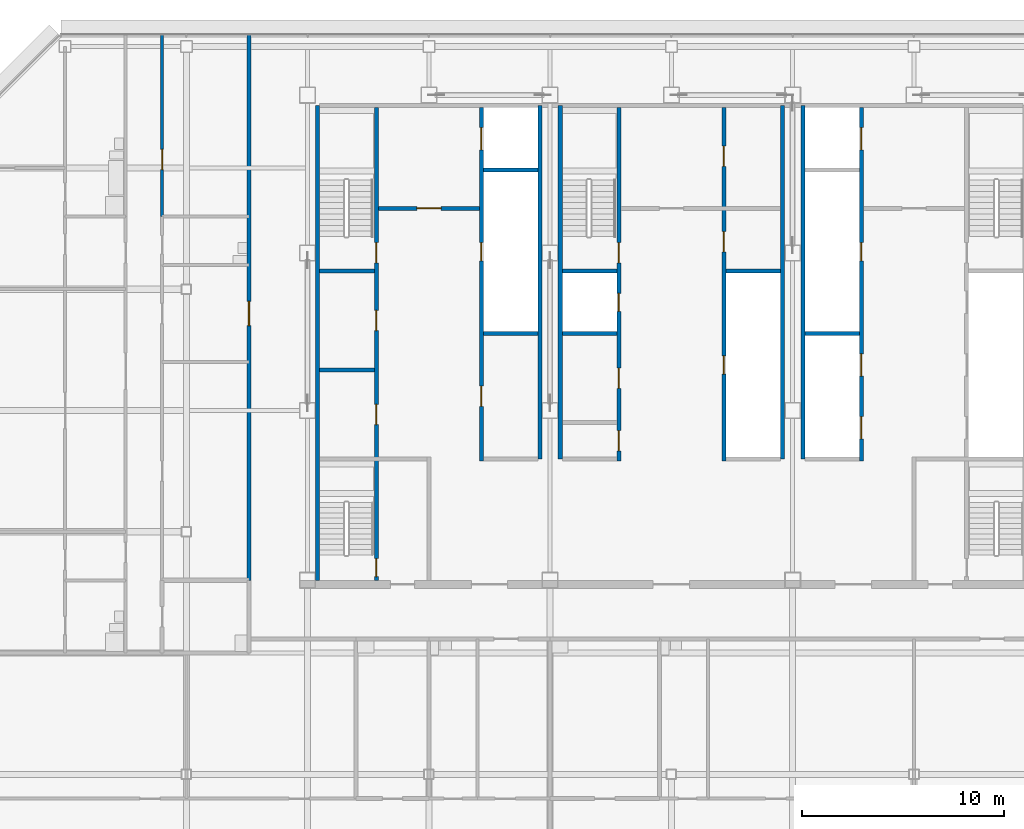
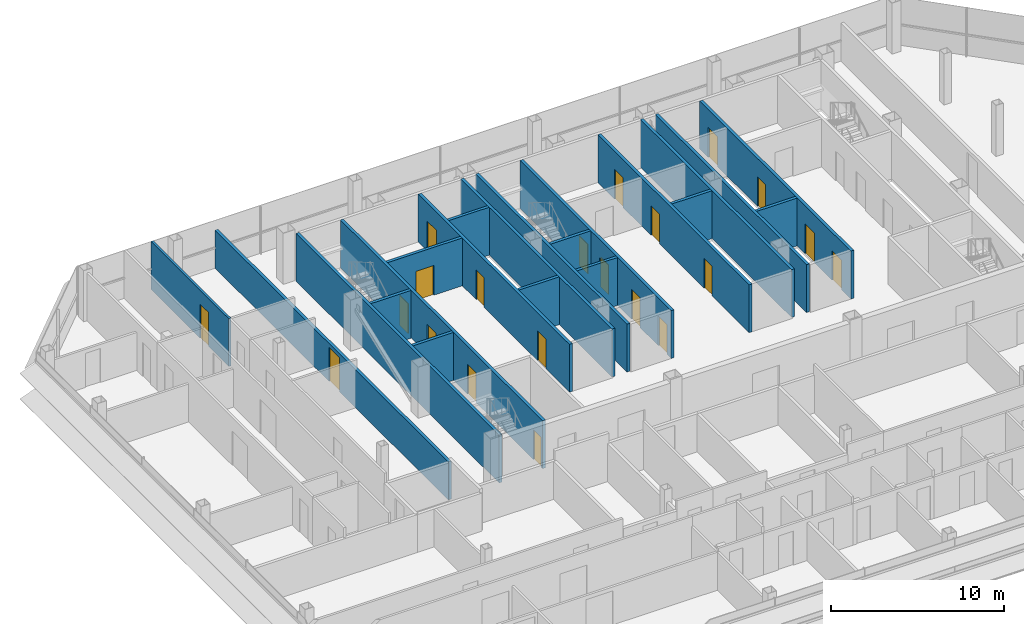
# One storey, part 24 of 28: 21 doors, 21 walls, 21 openings.
"""IFC4 building model written with IfcOpenShell, lengths in metres."""

from ifc_helpers import new_model, si_unit, direction, frame, frame_2d, origin, place, context, subcontext, project, spatial, rectangle, extrude, material, layer, layer_set, type_object, element, fill, save


model = new_model("IFC4")

# Units and contexts
model_context = context("Model", 3, precision=1e-05, world=origin(), true_north=direction((0.0, 1.0)))
body_context = subcontext(model_context, "Body", "Model", "MODEL_VIEW")
ifc_project = project(units=[si_unit("LENGTHUNIT", "METRE"), si_unit("AREAUNIT", "SQUARE_METRE"), si_unit("VOLUMEUNIT", "CUBIC_METRE"), si_unit("PLANEANGLEUNIT", "RADIAN"), si_unit("MASSUNIT", "GRAM", prefix="KILO")], contexts=[model_context])

# Site, building, storey
site_placement = place(None, origin())
site = spatial("IfcSite", under=ifc_project, at=site_placement, CompositionType="ELEMENT")
building_placement = place(site_placement, origin())
building = spatial("IfcBuilding", under=site, at=building_placement, Name="Sorahane Residences", CompositionType="ELEMENT")
storey_placement = place(building_placement, frame((0.0, 0.0, 254.0)))
storey = spatial("IfcBuildingStorey", under=building, at=storey_placement, Name="L60", CompositionType="ELEMENT", Elevation=254.0)

# Walls
ifc_material_1 = material(Name="Concrete C30", Category="concrete")
ifc_layer_1 = layer(ifc_material_1, 0.199951171875)
ifc_layer_set_1 = layer_set([ifc_layer_1], Name="Core face wall 200 EI 180")
wall_type_1 = type_object("IfcWallType", Name="Core face wall 200 EI 180", PredefinedType="SOLIDWALL", material=ifc_layer_set_1)
wall_1_placement = place(storey_placement, frame((6.5, 21.60009765625, 0.0), z_axis=(0.0, 0.0, 1.0), x_axis=(0.0, 1.0, 0.0)))
element("IfcWall", 1, at=wall_1_placement, inside=storey, type_object=wall_type_1, Name="L60 core face wall", PredefinedType="SOLIDWALL", context=body_context, shape_type="SweptSolid", body=[
    extrude(rectangle(XDim=23.5, YDim=0.199951171875, at=frame_2d((11.75, 0.0))), origin(), (0.0, 0.0, 1.0), 3.3798828125),
])
for number, where, z_axis, x_axis, name in (
    (2, (17.5, 27.60009765625, 0.0), (0.0, 0.0, 1.0), (0.0, 1.0, 0.0), "L60 core face wall"),
    (3, (18.5, 27.60009765625, 0.0), (0.0, 0.0, 1.0), (0.0, 1.0, 0.0), "L60 core face wall"),
    (4, (29.5, 27.60009765625, 0.0), (0.0, 0.0, 1.0), (0.0, 1.0, 0.0), "L60 core face wall"),
    (5, (30.5, 27.60009765625, 0.0), (0.0, 0.0, 1.0), (0.0, 1.0, 0.0), "L60 core face wall"),
):
    element("IfcWall", number, at=place(storey_placement, frame(where, z_axis=z_axis, x_axis=x_axis)), inside=storey, type_object=wall_type_1, Name=name, PredefinedType="SOLIDWALL", context=body_context, shape_type="SweptSolid", body=[
        extrude(rectangle(XDim=17.5, YDim=0.199951171875, at=frame_2d((8.75, 0.0))), origin(), (0.0, 0.0, 1.0), 3.3798828125),
    ])

# Wall, opening, door
ifc_material_2 = material(Name="Concrete blockwork C20 wall", Category="masonry")
ifc_layer_2 = layer(ifc_material_2, 0.199951171875)
ifc_layer_set_2 = layer_set([ifc_layer_2], Name="Corridor wall 200 EI 120")
wall_type_2 = type_object("IfcWallType", Name="Corridor wall 200 EI 120", PredefinedType="SOLIDWALL", material=ifc_layer_set_2)
wall_2_placement = place(storey_placement, frame((3.10009765625, 21.60009765625, 0.0), z_axis=(0.0, 0.0, 1.0), x_axis=(0.0, 1.0, 0.0)))
wall_2 = element("IfcWall", 6, at=wall_2_placement, inside=storey, type_object=wall_type_2, Name="L60 corridor wall", PredefinedType="SOLIDWALL", context=body_context, shape_type="SweptSolid", body=[
    extrude(rectangle(XDim=27.0, YDim=0.199951171875, at=frame_2d((13.5, 0.0))), origin(), (0.0, 0.0, 1.0), 2.679931640625),
])
opening_1_placement = place(wall_2_placement, frame((12.60009765625, 0.0, 0.0)))
opening_1 = element("IfcOpeningElement", 7, at=opening_1_placement, cuts=wall_2, Name="Opening L60-48", PredefinedType="OPENING", context=body_context, shape_type="SweptSolid", body=[
    extrude(rectangle(XDim=1.199951171875, YDim=2.39990234375, at=frame_2d((0.60009765625, 1.199951171875))), frame((0.0, 0.10986328125, 0.0), z_axis=(0.0, -1.0, 0.0), x_axis=(1.0, 0.0, 0.0)), (0.0, 0.0, 1.0), 0.219970703125),
])
ifc_material_3 = material(Name="Timber veneered fire door", Category="wood")
door_type_1 = type_object("IfcDoorType", Name="Flat entrance door 1200x2400 FD60", OperationType="NOTDEFINED", PredefinedType="DOOR", material=ifc_material_3)
door_1_placement = place(opening_1_placement, origin())
door_1 = element("IfcDoor", 8, at=door_1_placement, inside=storey, type_object=door_type_1, Name="Flat entrance door L60-48", OperationType="SINGLE_SWING_RIGHT", OverallHeight=2.39990234375, OverallWidth=1.199951171875, PredefinedType="DOOR", context=body_context, shape_type="SweptSolid", body=[
    extrude(rectangle(XDim=1.199951171875, YDim=2.39990234375, at=frame_2d((0.60009765625, 1.199951171875))), frame((0.0, 0.02490234375, 0.0), z_axis=(0.0, -1.0, 0.0), x_axis=(1.0, 0.0, 0.0)), (0.0, 0.0, 1.0), 0.050048828125),
])
fill(opening_1, door_1)

ifc_material_4 = material(Name="Concrete C30", Category="concrete")
ifc_layer_3 = layer(ifc_material_4, 0.199951171875)
ifc_layer_set_3 = layer_set([ifc_layer_3], Name="Front room wall 200 EI 120")
wall_type_3 = type_object("IfcWallType", Name="Front room wall 200 EI 120", PredefinedType="PARTITIONING", material=ifc_layer_set_3)
wall_3_placement = place(storey_placement, frame((9.5, 40.0, 0.0), z_axis=(0.0, 0.0, 1.0), x_axis=(1.0, 0.0, 0.0)))
wall_3 = element("IfcWall", 9, at=wall_3_placement, inside=storey, type_object=wall_type_3, Name="L60 front room wall", PredefinedType="PARTITIONING", context=body_context, shape_type="SweptSolid", body=[
    extrude(rectangle(XDim=5.0, YDim=0.199951171875, at=frame_2d((2.5, 0.0))), origin(), (0.0, 0.0, 1.0), 3.3798828125),
])
opening_2_placement = place(wall_3_placement, frame((1.89990234375, 0.0, 0.0)))
opening_2 = element("IfcOpeningElement", 10, at=opening_2_placement, cuts=wall_3, Name="Opening L60-C06", PredefinedType="OPENING", context=body_context, shape_type="SweptSolid", body=[
    extrude(rectangle(XDim=1.199951171875, YDim=2.10009765625, at=frame_2d((0.60009765625, 1.050048828125))), frame((0.0, 0.10986328125, 0.0), z_axis=(0.0, -1.0, 0.0), x_axis=(1.0, 0.0, 0.0)), (0.0, 0.0, 1.0), 0.219970703125),
])
ifc_material_5 = material(Name="Steel", Category="steel")
door_type_2 = type_object("IfcDoorType", Name="Front room door 1200x2100 FD120", OperationType="NOTDEFINED", PredefinedType="DOOR", material=ifc_material_5)
door_2_placement = place(opening_2_placement, frame((1.199951171875, 0.0, 0.0), z_axis=(0.0, 0.0, 1.0), x_axis=(-1.0, 0.0, 0.0)))
door_2 = element("IfcDoor", 11, at=door_2_placement, inside=storey, type_object=door_type_2, Name="Front room door Firefighting lobby FF1 front room L60", OperationType="DOUBLE_DOOR_SINGLE_SWING", OverallHeight=2.10009765625, OverallWidth=1.199951171875, PredefinedType="DOOR", context=body_context, shape_type="SweptSolid", body=[
    extrude(rectangle(XDim=1.199951171875, YDim=2.10009765625, at=frame_2d((0.60009765625, 1.050048828125))), frame((0.0, 0.02490234375, 0.0), z_axis=(0.0, -1.0, 0.0), x_axis=(1.0, 0.0, 0.0)), (0.0, 0.0, 1.0), 0.050048828125),
])
fill(opening_2, door_2)

# Wall, openings, doors
ifc_material_6 = material(Name="Concrete C30", Category="concrete")
ifc_layer_4 = layer(ifc_material_6, 0.199951171875)
ifc_layer_set_4 = layer_set([ifc_layer_4], Name="Lift shaft wall 200 EI 120")
wall_type_4 = type_object("IfcWallType", Name="Lift shaft wall 200 EI 120", PredefinedType="SOLIDWALL", material=ifc_layer_set_4)
wall_4_placement = place(storey_placement, frame((14.60009765625, 27.5, 0.0), z_axis=(0.0, 0.0, 1.0), x_axis=(0.0, 1.0, 0.0)))
wall_4 = element("IfcWall", 12, at=wall_4_placement, inside=storey, type_object=wall_type_4, Name="L60 lift shaft wall", PredefinedType="SOLIDWALL", context=body_context, shape_type="SweptSolid", body=[
    extrude(rectangle(XDim=17.5, YDim=0.199951171875, at=frame_2d((8.75, 0.0))), origin(), (0.0, 0.0, 1.0), 3.3798828125),
])
opening_3_placement = place(wall_4_placement, frame((15.39990234375, 0.0, 0.0)))
opening_3 = element("IfcOpeningElement", 13, at=opening_3_placement, cuts=wall_4, Name="Opening L60-C15", PredefinedType="OPENING", context=body_context, shape_type="SweptSolid", body=[
    extrude(rectangle(XDim=1.10009765625, YDim=2.10009765625, at=frame_2d((0.550048828125, 1.050048828125))), frame((0.0, 0.10986328125, 0.0), z_axis=(0.0, -1.0, 0.0), x_axis=(1.0, 0.0, 0.0)), (0.0, 0.0, 1.0), 0.219970703125),
])
opening_4_placement = place(wall_4_placement, frame((2.699951171875, 0.0, 0.0)))
opening_4 = element("IfcOpeningElement", 14, at=opening_4_placement, cuts=wall_4, Name="Opening L60-C18", PredefinedType="OPENING", context=body_context, shape_type="SweptSolid", body=[
    extrude(rectangle(XDim=1.0, YDim=2.10009765625, at=frame_2d((0.5, 1.050048828125))), frame((0.0, 0.10986328125, 0.0), z_axis=(0.0, -1.0, 0.0), x_axis=(1.0, 0.0, 0.0)), (0.0, 0.0, 1.0), 0.219970703125),
])
opening_5_placement = place(wall_4_placement, frame((9.89990234375, 0.0, 0.0)))
opening_5 = element("IfcOpeningElement", 15, at=opening_5_placement, cuts=wall_4, Name="Opening L60-C26", PredefinedType="OPENING", context=body_context, shape_type="SweptSolid", body=[
    extrude(rectangle(XDim=0.89990234375, YDim=2.10009765625, at=frame_2d((0.449951171875, 1.050048828125))), frame((0.0, 0.10986328125, 0.0), z_axis=(0.0, -1.0, 0.0), x_axis=(1.0, 0.0, 0.0)), (0.0, 0.0, 1.0), 0.219970703125),
])
ifc_material_7 = material(Name="Aluminium and stainless steel", Category="steel")
door_type_3 = type_object("IfcDoorType", Name="Lift landing door 1100x2100 E 60", OperationType="NOTDEFINED", PredefinedType="DOOR", material=ifc_material_7)
door_3_placement = place(opening_3_placement, origin())
door_3 = element("IfcDoor", 16, at=door_3_placement, inside=storey, type_object=door_type_3, Name="Lift landing door FF1 L60", OperationType="DOUBLE_DOOR_SLIDING", OverallHeight=2.10009765625, OverallWidth=1.10009765625, PredefinedType="DOOR", context=body_context, shape_type="SweptSolid", body=[
    extrude(rectangle(XDim=1.10009765625, YDim=2.10009765625, at=frame_2d((0.550048828125, 1.050048828125))), frame((0.0, 0.02490234375, 0.0), z_axis=(0.0, -1.0, 0.0), x_axis=(1.0, 0.0, 0.0)), (0.0, 0.0, 1.0), 0.050048828125),
])
fill(opening_3, door_3)
ifc_material_8 = material(Name="Steel", Category="steel")
door_type_4 = type_object("IfcDoorType", Name="Riser door 900x2100 FD120", OperationType="NOTDEFINED", PredefinedType="DOOR", material=ifc_material_8)
door_4_placement = place(opening_5_placement, origin())
door_4 = element("IfcDoor", 17, at=door_4_placement, inside=storey, type_object=door_type_4, Name="Riser door R1 L60", OperationType="SINGLE_SWING_LEFT", OverallHeight=2.10009765625, OverallWidth=0.89990234375, PredefinedType="DOOR", context=body_context, shape_type="SweptSolid", body=[
    extrude(rectangle(XDim=0.89990234375, YDim=2.10009765625, at=frame_2d((0.449951171875, 1.050048828125))), frame((0.0, 0.02490234375, 0.0), z_axis=(0.0, -1.0, 0.0), x_axis=(1.0, 0.0, 0.0)), (0.0, 0.0, 1.0), 0.050048828125),
])
fill(opening_5, door_4)
ifc_material_9 = material(Name="Steel", Category="steel")
door_type_5 = type_object("IfcDoorType", Name="Service room door 1000x2100 FD60", OperationType="NOTDEFINED", PredefinedType="DOOR", material=ifc_material_9)
door_5_placement = place(opening_4_placement, frame((1.0, 0.0, 0.0), z_axis=(0.0, 0.0, 1.0), x_axis=(-1.0, 0.0, 0.0)))
door_5 = element("IfcDoor", 18, at=door_5_placement, inside=storey, type_object=door_type_5, Name="Service room door Gift store L60", OperationType="SINGLE_SWING_RIGHT", OverallHeight=2.10009765625, OverallWidth=1.0, PredefinedType="DOOR", context=body_context, shape_type="SweptSolid", body=[
    extrude(rectangle(XDim=1.0, YDim=2.10009765625, at=frame_2d((0.5, 1.050048828125))), frame((0.0, 0.02490234375, 0.0), z_axis=(0.0, -1.0, 0.0), x_axis=(1.0, 0.0, 0.0)), (0.0, 0.0, 1.0), 0.050048828125),
])
fill(opening_4, door_5)

wall_5_placement = place(storey_placement, frame((33.39990234375, 27.5, 0.0), z_axis=(0.0, 0.0, 1.0), x_axis=(0.0, 1.0, 0.0)))
wall_5 = element("IfcWall", 19, at=wall_5_placement, inside=storey, type_object=wall_type_4, Name="L60 lift shaft wall", PredefinedType="SOLIDWALL", context=body_context, shape_type="SweptSolid", body=[
    extrude(rectangle(XDim=17.5, YDim=0.199951171875, at=frame_2d((8.75, 0.0))), origin(), (0.0, 0.0, 1.0), 3.3798828125),
])
opening_6_placement = place(wall_5_placement, frame((1.10009765625, 0.0, 0.0)))
opening_6 = element("IfcOpeningElement", 20, at=opening_6_placement, cuts=wall_5, Name="Opening L60-C12", PredefinedType="OPENING", context=body_context, shape_type="SweptSolid", body=[
    extrude(rectangle(XDim=1.10009765625, YDim=2.10009765625, at=frame_2d((0.550048828125, 1.050048828125))), frame((0.0, 0.10986328125, 0.0), z_axis=(0.0, -1.0, 0.0), x_axis=(1.0, 0.0, 0.0)), (0.0, 0.0, 1.0), 0.219970703125),
])
opening_7_placement = place(wall_5_placement, frame((4.199951171875, 0.0, 0.0)))
opening_7 = element("IfcOpeningElement", 21, at=opening_7_placement, cuts=wall_5, Name="Opening L60-C13", PredefinedType="OPENING", context=body_context, shape_type="SweptSolid", body=[
    extrude(rectangle(XDim=1.10009765625, YDim=2.10009765625, at=frame_2d((0.550048828125, 1.050048828125))), frame((0.0, 0.10986328125, 0.0), z_axis=(0.0, -1.0, 0.0), x_axis=(1.0, 0.0, 0.0)), (0.0, 0.0, 1.0), 0.219970703125),
])
opening_8_placement = place(wall_5_placement, frame((15.39990234375, 0.0, 0.0)))
opening_8 = element("IfcOpeningElement", 22, at=opening_8_placement, cuts=wall_5, Name="Opening L60-C14", PredefinedType="OPENING", context=body_context, shape_type="SweptSolid", body=[
    extrude(rectangle(XDim=1.10009765625, YDim=2.10009765625, at=frame_2d((0.550048828125, 1.050048828125))), frame((0.0, 0.10986328125, 0.0), z_axis=(0.0, -1.0, 0.0), x_axis=(1.0, 0.0, 0.0)), (0.0, 0.0, 1.0), 0.219970703125),
])
opening_9_placement = place(wall_5_placement, frame((9.89990234375, 0.0, 0.0)))
opening_9 = element("IfcOpeningElement", 23, at=opening_9_placement, cuts=wall_5, Name="Opening L60-C27", PredefinedType="OPENING", context=body_context, shape_type="SweptSolid", body=[
    extrude(rectangle(XDim=0.89990234375, YDim=2.10009765625, at=frame_2d((0.449951171875, 1.050048828125))), frame((0.0, 0.10986328125, 0.0), z_axis=(0.0, -1.0, 0.0), x_axis=(1.0, 0.0, 0.0)), (0.0, 0.0, 1.0), 0.219970703125),
])
door_6_placement = place(opening_6_placement, origin())
door_6 = element("IfcDoor", 24, at=door_6_placement, inside=storey, type_object=door_type_3, Name="Lift landing door HR4 L60", OperationType="DOUBLE_DOOR_SLIDING", OverallHeight=2.10009765625, OverallWidth=1.10009765625, PredefinedType="DOOR", context=body_context, shape_type="SweptSolid", body=[
    extrude(rectangle(XDim=1.10009765625, YDim=2.10009765625, at=frame_2d((0.550048828125, 1.050048828125))), frame((0.0, 0.02490234375, 0.0), z_axis=(0.0, -1.0, 0.0), x_axis=(1.0, 0.0, 0.0)), (0.0, 0.0, 1.0), 0.050048828125),
])
fill(opening_6, door_6)
door_7_placement = place(opening_7_placement, origin())
door_7 = element("IfcDoor", 25, at=door_7_placement, inside=storey, type_object=door_type_3, Name="Lift landing door HR5 L60", OperationType="DOUBLE_DOOR_SLIDING", OverallHeight=2.10009765625, OverallWidth=1.10009765625, PredefinedType="DOOR", context=body_context, shape_type="SweptSolid", body=[
    extrude(rectangle(XDim=1.10009765625, YDim=2.10009765625, at=frame_2d((0.550048828125, 1.050048828125))), frame((0.0, 0.02490234375, 0.0), z_axis=(0.0, -1.0, 0.0), x_axis=(1.0, 0.0, 0.0)), (0.0, 0.0, 1.0), 0.050048828125),
])
fill(opening_7, door_7)
door_8_placement = place(opening_8_placement, origin())
door_8 = element("IfcDoor", 26, at=door_8_placement, inside=storey, type_object=door_type_3, Name="Lift landing door FF2 L60", OperationType="DOUBLE_DOOR_SLIDING", OverallHeight=2.10009765625, OverallWidth=1.10009765625, PredefinedType="DOOR", context=body_context, shape_type="SweptSolid", body=[
    extrude(rectangle(XDim=1.10009765625, YDim=2.10009765625, at=frame_2d((0.550048828125, 1.050048828125))), frame((0.0, 0.02490234375, 0.0), z_axis=(0.0, -1.0, 0.0), x_axis=(1.0, 0.0, 0.0)), (0.0, 0.0, 1.0), 0.050048828125),
])
fill(opening_8, door_8)
door_9_placement = place(opening_9_placement, frame((0.89990234375, 0.0, 0.0), z_axis=(0.0, 0.0, 1.0), x_axis=(-1.0, 0.0, 0.0)))
door_9 = element("IfcDoor", 27, at=door_9_placement, inside=storey, type_object=door_type_4, Name="Riser door R2 L60", OperationType="SINGLE_SWING_LEFT", OverallHeight=2.10009765625, OverallWidth=0.89990234375, PredefinedType="DOOR", context=body_context, shape_type="SweptSolid", body=[
    extrude(rectangle(XDim=0.89990234375, YDim=2.10009765625, at=frame_2d((0.449951171875, 1.050048828125))), frame((0.0, 0.02490234375, 0.0), z_axis=(0.0, -1.0, 0.0), x_axis=(1.0, 0.0, 0.0)), (0.0, 0.0, 1.0), 0.050048828125),
])
fill(opening_9, door_9)

# Walls
for number, where, z_axis, x_axis, name in (
    (28, (30.60009765625, 33.800048828125, 0.0), (0.0, 0.0, 1.0), (1.0, 0.0, 0.0), "L60 lift shaft wall"),
    (29, (14.699951171875, 41.89990234375, 0.0), (0.0, 0.0, 1.0), (1.0, 0.0, 0.0), "L60 lift shaft wall"),
):
    element("IfcWall", number, at=place(storey_placement, frame(where, z_axis=z_axis, x_axis=x_axis)), inside=storey, type_object=wall_type_4, Name=name, PredefinedType="SOLIDWALL", context=body_context, shape_type="SweptSolid", body=[
        extrude(rectangle(XDim=2.699951171875, YDim=0.199951171875, at=frame_2d((1.35009765625, 0.0))), origin(), (0.0, 0.0, 1.0), 3.3798828125),
    ])

# Wall, opening, door
ifc_material_10 = material(Name="Gypsum board partition on steel studs", Category="steel")
ifc_layer_5 = layer(ifc_material_10, 0.14990234375)
ifc_layer_set_5 = layer_set([ifc_layer_5], Name="Partition 150 EI 90")
wall_type_5 = type_object("IfcWallType", Name="Partition 150 EI 90", PredefinedType="PARTITIONING", material=ifc_layer_set_5)
wall_6_placement = place(storey_placement, frame((-1.199951171875, 39.60009765625, 0.0), z_axis=(0.0, 0.0, 1.0), x_axis=(0.0, 1.0, 0.0)))
wall_6 = element("IfcWall", 30, at=wall_6_placement, inside=storey, type_object=wall_type_5, Name="L60 partition", PredefinedType="PARTITIONING", context=body_context, shape_type="SweptSolid", body=[
    extrude(rectangle(XDim=9.0, YDim=0.14990234375, at=frame_2d((4.5, 0.0))), origin(), (0.0, 0.0, 1.0), 3.3798828125),
])
opening_10_placement = place(wall_6_placement, frame((2.320068359375, 0.0, 0.0)))
opening_10 = element("IfcOpeningElement", 31, at=opening_10_placement, cuts=wall_6, Name="Opening L60-36", PredefinedType="OPENING", context=body_context, shape_type="SweptSolid", body=[
    extrude(rectangle(XDim=1.0, YDim=2.39990234375, at=frame_2d((0.5, 1.199951171875))), frame((0.0, 0.0849609375, 0.0), z_axis=(0.0, -1.0, 0.0), x_axis=(1.0, 0.0, 0.0)), (0.0, 0.0, 1.0), 0.169921875),
])
ifc_material_11 = material(Name="Timber veneered fire door", Category="wood")
door_type_6 = type_object("IfcDoorType", Name="Room door 1000x2400 FD30", OperationType="NOTDEFINED", PredefinedType="DOOR", material=ifc_material_11)
door_10_placement = place(opening_10_placement, frame((1.0, 0.0, 0.0), z_axis=(0.0, 0.0, 1.0), x_axis=(-1.0, 0.0, 0.0)))
door_10 = element("IfcDoor", 32, at=door_10_placement, inside=storey, type_object=door_type_6, Name="Room door L60-36", OperationType="SINGLE_SWING_RIGHT", OverallHeight=2.39990234375, OverallWidth=1.0, PredefinedType="DOOR", context=body_context, shape_type="SweptSolid", body=[
    extrude(rectangle(XDim=1.0, YDim=2.39990234375, at=frame_2d((0.5, 1.199951171875))), frame((0.0, 0.02490234375, 0.0), z_axis=(0.0, -1.0, 0.0), x_axis=(1.0, 0.0, 0.0)), (0.0, 0.0, 1.0), 0.050048828125),
])
fill(opening_10, door_10)

# Wall, openings, doors
ifc_material_12 = material(Name="Concrete C30", Category="concrete")
ifc_layer_6 = layer(ifc_material_12, 0.199951171875)
ifc_layer_set_6 = layer_set([ifc_layer_6], Name="Riser shaft wall 200 EI 120")
wall_type_6 = type_object("IfcWallType", Name="Riser shaft wall 200 EI 120", PredefinedType="SOLIDWALL", material=ifc_layer_set_6)
wall_7_placement = place(storey_placement, frame((26.60009765625, 27.5, 0.0), z_axis=(0.0, 0.0, 1.0), x_axis=(0.0, 1.0, 0.0)))
wall_7 = element("IfcWall", 33, at=wall_7_placement, inside=storey, type_object=wall_type_6, Name="L60 riser wall", PredefinedType="SOLIDWALL", context=body_context, shape_type="SweptSolid", body=[
    extrude(rectangle(XDim=17.5, YDim=0.199951171875, at=frame_2d((8.75, 0.0))), origin(), (0.0, 0.0, 1.0), 3.3798828125),
])
opening_11_placement = place(wall_7_placement, frame((4.300048828125, 0.0, 0.0)))
opening_11 = element("IfcOpeningElement", 34, at=opening_11_placement, cuts=wall_7, Name="Opening L60-C29", PredefinedType="OPENING", context=body_context, shape_type="SweptSolid", body=[
    extrude(rectangle(XDim=0.89990234375, YDim=2.10009765625, at=frame_2d((0.449951171875, 1.050048828125))), frame((0.0, 0.10986328125, 0.0), z_axis=(0.0, -1.0, 0.0), x_axis=(1.0, 0.0, 0.0)), (0.0, 0.0, 1.0), 0.219970703125),
])
opening_12_placement = place(wall_7_placement, frame((10.35009765625, 0.0, 0.0)))
opening_12 = element("IfcOpeningElement", 35, at=opening_12_placement, cuts=wall_7, Name="Opening L60-C30", PredefinedType="OPENING", context=body_context, shape_type="SweptSolid", body=[
    extrude(rectangle(XDim=1.0, YDim=2.10009765625, at=frame_2d((0.5, 1.050048828125))), frame((0.0, 0.10986328125, 0.0), z_axis=(0.0, -1.0, 0.0), x_axis=(1.0, 0.0, 0.0)), (0.0, 0.0, 1.0), 0.219970703125),
])
opening_13_placement = place(wall_7_placement, frame((14.574951171875, 0.0, 0.0)))
opening_13 = element("IfcOpeningElement", 36, at=opening_13_placement, cuts=wall_7, Name="Opening L60-C31", PredefinedType="OPENING", context=body_context, shape_type="SweptSolid", body=[
    extrude(rectangle(XDim=1.0, YDim=2.10009765625, at=frame_2d((0.5, 1.050048828125))), frame((0.0, 0.10986328125, 0.0), z_axis=(0.0, -1.0, 0.0), x_axis=(1.0, 0.0, 0.0)), (0.0, 0.0, 1.0), 0.219970703125),
])
door_11_placement = place(opening_11_placement, origin())
door_11 = element("IfcDoor", 37, at=door_11_placement, inside=storey, type_object=door_type_4, Name="Riser door R4 L60", OperationType="SINGLE_SWING_LEFT", OverallHeight=2.10009765625, OverallWidth=0.89990234375, PredefinedType="DOOR", context=body_context, shape_type="SweptSolid", body=[
    extrude(rectangle(XDim=0.89990234375, YDim=2.10009765625, at=frame_2d((0.449951171875, 1.050048828125))), frame((0.0, 0.02490234375, 0.0), z_axis=(0.0, -1.0, 0.0), x_axis=(1.0, 0.0, 0.0)), (0.0, 0.0, 1.0), 0.050048828125),
])
fill(opening_11, door_11)
door_12_placement = place(opening_12_placement, frame((1.0, 0.0, 0.0), z_axis=(0.0, 0.0, 1.0), x_axis=(-1.0, 0.0, 0.0)))
door_12 = element("IfcDoor", 38, at=door_12_placement, inside=storey, type_object=door_type_5, Name="Service room door Linen room L60", OperationType="SINGLE_SWING_LEFT", OverallHeight=2.10009765625, OverallWidth=1.0, PredefinedType="DOOR", context=body_context, shape_type="SweptSolid", body=[
    extrude(rectangle(XDim=1.0, YDim=2.10009765625, at=frame_2d((0.5, 1.050048828125))), frame((0.0, 0.02490234375, 0.0), z_axis=(0.0, -1.0, 0.0), x_axis=(1.0, 0.0, 0.0)), (0.0, 0.0, 1.0), 0.050048828125),
])
fill(opening_12, door_12)
door_13_placement = place(opening_13_placement, frame((1.0, 0.0, 0.0), z_axis=(0.0, 0.0, 1.0), x_axis=(-1.0, 0.0, 0.0)))
door_13 = element("IfcDoor", 39, at=door_13_placement, inside=storey, type_object=door_type_5, Name="Service room door Cleaners' store L60", OperationType="SINGLE_SWING_LEFT", OverallHeight=2.10009765625, OverallWidth=1.0, PredefinedType="DOOR", context=body_context, shape_type="SweptSolid", body=[
    extrude(rectangle(XDim=1.0, YDim=2.10009765625, at=frame_2d((0.5, 1.050048828125))), frame((0.0, 0.02490234375, 0.0), z_axis=(0.0, -1.0, 0.0), x_axis=(1.0, 0.0, 0.0)), (0.0, 0.0, 1.0), 0.050048828125),
])
fill(opening_13, door_13)

# Walls
for number, where, z_axis, x_axis, name in (
    (40, (14.699951171875, 33.800048828125, 0.0), (0.0, 0.0, 1.0), (1.0, 0.0, 0.0), "L60 riser wall"),
    (41, (18.60009765625, 33.800048828125, 0.0), (0.0, 0.0, 1.0), (1.0, 0.0, 0.0), "L60 riser wall"),
    (42, (26.699951171875, 36.89990234375, 0.0), (0.0, 0.0, 1.0), (1.0, 0.0, 0.0), "L60 riser wall"),
):
    element("IfcWall", number, at=place(storey_placement, frame(where, z_axis=z_axis, x_axis=x_axis)), inside=storey, type_object=wall_type_6, Name=name, PredefinedType="SOLIDWALL", context=body_context, shape_type="SweptSolid", body=[
        extrude(rectangle(XDim=2.699951171875, YDim=0.199951171875, at=frame_2d((1.35009765625, 0.0))), origin(), (0.0, 0.0, 1.0), 3.3798828125),
    ])
ifc_material_13 = material(Name="Concrete C30", Category="concrete")
ifc_layer_7 = layer(ifc_material_13, 0.199951171875)
ifc_layer_set_7 = layer_set([ifc_layer_7], Name="Service room partition 200 EI 60")
wall_type_7 = type_object("IfcWallType", Name="Service room partition 200 EI 60", PredefinedType="PARTITIONING", material=ifc_layer_set_7)
wall_8_placement = place(storey_placement, frame((6.60009765625, 32.0, 0.0), z_axis=(0.0, 0.0, 1.0), x_axis=(1.0, 0.0, 0.0)))
element("IfcWall", 43, at=wall_8_placement, inside=storey, type_object=wall_type_7, Name="L60 service room wall", PredefinedType="PARTITIONING", context=body_context, shape_type="SweptSolid", body=[
    extrude(rectangle(XDim=2.699951171875, YDim=0.199951171875, at=frame_2d((1.35009765625, 0.0))), origin(), (0.0, 0.0, 1.0), 3.3798828125),
])

# Wall, openings, doors
ifc_material_14 = material(Name="Concrete C30", Category="concrete")
ifc_layer_8 = layer(ifc_material_14, 0.199951171875)
ifc_layer_set_8 = layer_set([ifc_layer_8], Name="Stair enclosure wall 200 EI 120")
wall_type_8 = type_object("IfcWallType", Name="Stair enclosure wall 200 EI 120", PredefinedType="SOLIDWALL", material=ifc_layer_set_8)
wall_9_placement = place(storey_placement, frame((21.39990234375, 27.5, 0.0), z_axis=(0.0, 0.0, 1.0), x_axis=(0.0, 1.0, 0.0)))
wall_9 = element("IfcWall", 44, at=wall_9_placement, inside=storey, type_object=wall_type_8, Name="L60 stair enclosure wall", PredefinedType="SOLIDWALL", context=body_context, shape_type="SweptSolid", body=[
    extrude(rectangle(XDim=17.5, YDim=0.199951171875, at=frame_2d((8.75, 0.0))), origin(), (0.0, 0.0, 1.0), 3.3798828125),
])
opening_14_placement = place(wall_9_placement, frame((0.5, 0.0, 0.0)))
opening_14 = element("IfcOpeningElement", 45, at=opening_14_placement, cuts=wall_9, Name="Opening L60-C16", PredefinedType="OPENING", context=body_context, shape_type="SweptSolid", body=[
    extrude(rectangle(XDim=1.0, YDim=2.10009765625, at=frame_2d((0.5, 1.050048828125))), frame((0.0, 0.10986328125, 0.0), z_axis=(0.0, -1.0, 0.0), x_axis=(1.0, 0.0, 0.0)), (0.0, 0.0, 1.0), 0.219970703125),
])
opening_15_placement = place(wall_9_placement, frame((3.60009765625, 0.0, 0.0)))
opening_15 = element("IfcOpeningElement", 46, at=opening_15_placement, cuts=wall_9, Name="Opening L60-C17", PredefinedType="OPENING", context=body_context, shape_type="SweptSolid", body=[
    extrude(rectangle(XDim=1.0, YDim=2.10009765625, at=frame_2d((0.5, 1.050048828125))), frame((0.0, 0.10986328125, 0.0), z_axis=(0.0, -1.0, 0.0), x_axis=(1.0, 0.0, 0.0)), (0.0, 0.0, 1.0), 0.219970703125),
])
opening_16_placement = place(wall_9_placement, frame((9.800048828125, 0.0, 0.0)))
opening_16 = element("IfcOpeningElement", 47, at=opening_16_placement, cuts=wall_9, Name="Opening L60-C23", PredefinedType="OPENING", context=body_context, shape_type="SweptSolid", body=[
    extrude(rectangle(XDim=1.0, YDim=2.10009765625, at=frame_2d((0.5, 1.050048828125))), frame((0.0, 0.10986328125, 0.0), z_axis=(0.0, -1.0, 0.0), x_axis=(1.0, 0.0, 0.0)), (0.0, 0.0, 1.0), 0.219970703125),
])
opening_17_placement = place(wall_9_placement, frame((7.39990234375, 0.0, 0.0)))
opening_17 = element("IfcOpeningElement", 48, at=opening_17_placement, cuts=wall_9, Name="Opening L60-C28", PredefinedType="OPENING", context=body_context, shape_type="SweptSolid", body=[
    extrude(rectangle(XDim=0.89990234375, YDim=2.10009765625, at=frame_2d((0.449951171875, 1.050048828125))), frame((0.0, 0.10986328125, 0.0), z_axis=(0.0, -1.0, 0.0), x_axis=(1.0, 0.0, 0.0)), (0.0, 0.0, 1.0), 0.219970703125),
])
door_14_placement = place(opening_17_placement, frame((0.89990234375, 0.0, 0.0), z_axis=(0.0, 0.0, 1.0), x_axis=(-1.0, 0.0, 0.0)))
door_14 = element("IfcDoor", 49, at=door_14_placement, inside=storey, type_object=door_type_4, Name="Riser door R3 L60", OperationType="SINGLE_SWING_LEFT", OverallHeight=2.10009765625, OverallWidth=0.89990234375, PredefinedType="DOOR", context=body_context, shape_type="SweptSolid", body=[
    extrude(rectangle(XDim=0.89990234375, YDim=2.10009765625, at=frame_2d((0.449951171875, 1.050048828125))), frame((0.0, 0.02490234375, 0.0), z_axis=(0.0, -1.0, 0.0), x_axis=(1.0, 0.0, 0.0)), (0.0, 0.0, 1.0), 0.050048828125),
])
fill(opening_17, door_14)
door_15_placement = place(opening_14_placement, origin())
door_15 = element("IfcDoor", 50, at=door_15_placement, inside=storey, type_object=door_type_5, Name="Service room door Valet store L60", OperationType="SINGLE_SWING_RIGHT", OverallHeight=2.10009765625, OverallWidth=1.0, PredefinedType="DOOR", context=body_context, shape_type="SweptSolid", body=[
    extrude(rectangle(XDim=1.0, YDim=2.10009765625, at=frame_2d((0.5, 1.050048828125))), frame((0.0, 0.02490234375, 0.0), z_axis=(0.0, -1.0, 0.0), x_axis=(1.0, 0.0, 0.0)), (0.0, 0.0, 1.0), 0.050048828125),
])
fill(opening_14, door_15)
door_16_placement = place(opening_15_placement, origin())
door_16 = element("IfcDoor", 51, at=door_16_placement, inside=storey, type_object=door_type_5, Name="Service room door Cinema room L60", OperationType="SINGLE_SWING_LEFT", OverallHeight=2.10009765625, OverallWidth=1.0, PredefinedType="DOOR", context=body_context, shape_type="SweptSolid", body=[
    extrude(rectangle(XDim=1.0, YDim=2.10009765625, at=frame_2d((0.5, 1.050048828125))), frame((0.0, 0.02490234375, 0.0), z_axis=(0.0, -1.0, 0.0), x_axis=(1.0, 0.0, 0.0)), (0.0, 0.0, 1.0), 0.050048828125),
])
fill(opening_15, door_16)
ifc_material_15 = material(Name="Steel", Category="steel")
door_type_7 = type_object("IfcDoorType", Name="Stair door 1000x2100 FD120", OperationType="NOTDEFINED", PredefinedType="DOOR", material=ifc_material_15)
door_17_placement = place(opening_16_placement, origin())
door_17 = element("IfcDoor", 52, at=door_17_placement, inside=storey, type_object=door_type_7, Name="Stair door S3 L60", OperationType="SINGLE_SWING_LEFT", OverallHeight=2.10009765625, OverallWidth=1.0, PredefinedType="DOOR", context=body_context, shape_type="SweptSolid", body=[
    extrude(rectangle(XDim=1.0, YDim=2.10009765625, at=frame_2d((0.5, 1.050048828125))), frame((0.0, 0.02490234375, 0.0), z_axis=(0.0, -1.0, 0.0), x_axis=(1.0, 0.0, 0.0)), (0.0, 0.0, 1.0), 0.050048828125),
])
fill(opening_16, door_17)

wall_10_placement = place(storey_placement, frame((9.39990234375, 21.60009765625, 0.0), z_axis=(0.0, 0.0, 1.0), x_axis=(0.0, 1.0, 0.0)))
wall_10 = element("IfcWall", 53, at=wall_10_placement, inside=storey, type_object=wall_type_8, Name="L60 stair enclosure wall", PredefinedType="SOLIDWALL", context=body_context, shape_type="SweptSolid", body=[
    extrude(rectangle(XDim=23.39990234375, YDim=0.199951171875, at=frame_2d((11.699951171875, 0.0))), origin(), (0.0, 0.0, 1.0), 3.3798828125),
])
opening_18_placement = place(wall_10_placement, frame((7.699951171875, 0.0, 0.0)))
opening_18 = element("IfcOpeningElement", 54, at=opening_18_placement, cuts=wall_10, Name="Opening L60-C19", PredefinedType="OPENING", context=body_context, shape_type="SweptSolid", body=[
    extrude(rectangle(XDim=1.0, YDim=2.10009765625, at=frame_2d((0.5, 1.050048828125))), frame((0.0, 0.10986328125, 0.0), z_axis=(0.0, -1.0, 0.0), x_axis=(1.0, 0.0, 0.0)), (0.0, 0.0, 1.0), 0.219970703125),
])
opening_19_placement = place(wall_10_placement, frame((12.35009765625, 0.0, 0.0)))
opening_19 = element("IfcOpeningElement", 55, at=opening_19_placement, cuts=wall_10, Name="Opening L60-C20", PredefinedType="OPENING", context=body_context, shape_type="SweptSolid", body=[
    extrude(rectangle(XDim=1.0, YDim=2.10009765625, at=frame_2d((0.5, 1.050048828125))), frame((0.0, 0.10986328125, 0.0), z_axis=(0.0, -1.0, 0.0), x_axis=(1.0, 0.0, 0.0)), (0.0, 0.0, 1.0), 0.219970703125),
])
opening_20_placement = place(wall_10_placement, frame((15.699951171875, 0.0, 0.0)))
opening_20 = element("IfcOpeningElement", 56, at=opening_20_placement, cuts=wall_10, Name="Opening L60-C21", PredefinedType="OPENING", context=body_context, shape_type="SweptSolid", body=[
    extrude(rectangle(XDim=1.0, YDim=2.10009765625, at=frame_2d((0.5, 1.050048828125))), frame((0.0, 0.10986328125, 0.0), z_axis=(0.0, -1.0, 0.0), x_axis=(1.0, 0.0, 0.0)), (0.0, 0.0, 1.0), 0.219970703125),
])
opening_21_placement = place(wall_10_placement, frame((0.175048828125, 0.0, 0.0)))
opening_21 = element("IfcOpeningElement", 57, at=opening_21_placement, cuts=wall_10, Name="Opening L60-C24", PredefinedType="OPENING", context=body_context, shape_type="SweptSolid", body=[
    extrude(rectangle(XDim=0.89990234375, YDim=2.10009765625, at=frame_2d((0.449951171875, 1.050048828125))), frame((0.0, 0.10986328125, 0.0), z_axis=(0.0, -1.0, 0.0), x_axis=(1.0, 0.0, 0.0)), (0.0, 0.0, 1.0), 0.219970703125),
])
door_18_placement = place(opening_18_placement, origin())
door_18 = element("IfcDoor", 58, at=door_18_placement, inside=storey, type_object=door_type_5, Name="Service room door Cinema room L60", OperationType="SINGLE_SWING_LEFT", OverallHeight=2.10009765625, OverallWidth=1.0, PredefinedType="DOOR", context=body_context, shape_type="SweptSolid", body=[
    extrude(rectangle(XDim=1.0, YDim=2.10009765625, at=frame_2d((0.5, 1.050048828125))), frame((0.0, 0.02490234375, 0.0), z_axis=(0.0, -1.0, 0.0), x_axis=(1.0, 0.0, 0.0)), (0.0, 0.0, 1.0), 0.050048828125),
])
fill(opening_18, door_18)
door_19_placement = place(opening_19_placement, origin())
door_19 = element("IfcDoor", 59, at=door_19_placement, inside=storey, type_object=door_type_5, Name="Service room door Gift store L60", OperationType="SINGLE_SWING_LEFT", OverallHeight=2.10009765625, OverallWidth=1.0, PredefinedType="DOOR", context=body_context, shape_type="SweptSolid", body=[
    extrude(rectangle(XDim=1.0, YDim=2.10009765625, at=frame_2d((0.5, 1.050048828125))), frame((0.0, 0.02490234375, 0.0), z_axis=(0.0, -1.0, 0.0), x_axis=(1.0, 0.0, 0.0)), (0.0, 0.0, 1.0), 0.050048828125),
])
fill(opening_19, door_19)
door_20_placement = place(opening_20_placement, origin())
door_20 = element("IfcDoor", 60, at=door_20_placement, inside=storey, type_object=door_type_7, Name="Stair door S1 L60", OperationType="SINGLE_SWING_LEFT", OverallHeight=2.10009765625, OverallWidth=1.0, PredefinedType="DOOR", context=body_context, shape_type="SweptSolid", body=[
    extrude(rectangle(XDim=1.0, YDim=2.10009765625, at=frame_2d((0.5, 1.050048828125))), frame((0.0, 0.02490234375, 0.0), z_axis=(0.0, -1.0, 0.0), x_axis=(1.0, 0.0, 0.0)), (0.0, 0.0, 1.0), 0.050048828125),
])
fill(opening_20, door_20)
ifc_material_16 = material(Name="Steel", Category="steel")
door_type_8 = type_object("IfcDoorType", Name="Stair door 900x2100 FD120", OperationType="NOTDEFINED", PredefinedType="DOOR", material=ifc_material_16)
door_21_placement = place(opening_21_placement, origin())
door_21 = element("IfcDoor", 61, at=door_21_placement, inside=storey, type_object=door_type_8, Name="Stair door S4 L60", OperationType="SINGLE_SWING_LEFT", OverallHeight=2.10009765625, OverallWidth=0.89990234375, PredefinedType="DOOR", context=body_context, shape_type="SweptSolid", body=[
    extrude(rectangle(XDim=0.89990234375, YDim=2.10009765625, at=frame_2d((0.449951171875, 1.050048828125))), frame((0.0, 0.02490234375, 0.0), z_axis=(0.0, -1.0, 0.0), x_axis=(1.0, 0.0, 0.0)), (0.0, 0.0, 1.0), 0.050048828125),
])
fill(opening_21, door_21)

# Walls
for number, where, z_axis, x_axis, name in (
    (62, (18.60009765625, 36.89990234375, 0.0), (0.0, 0.0, 1.0), (1.0, 0.0, 0.0), "L60 stair enclosure wall"),
    (63, (6.60009765625, 36.89990234375, 0.0), (0.0, 0.0, 1.0), (1.0, 0.0, 0.0), "L60 stair enclosure wall"),
):
    element("IfcWall", number, at=place(storey_placement, frame(where, z_axis=z_axis, x_axis=x_axis)), inside=storey, type_object=wall_type_8, Name=name, PredefinedType="SOLIDWALL", context=body_context, shape_type="SweptSolid", body=[
        extrude(rectangle(XDim=2.699951171875, YDim=0.199951171875, at=frame_2d((1.35009765625, 0.0))), origin(), (0.0, 0.0, 1.0), 3.3798828125),
    ])

save(model, "model.ifc")
